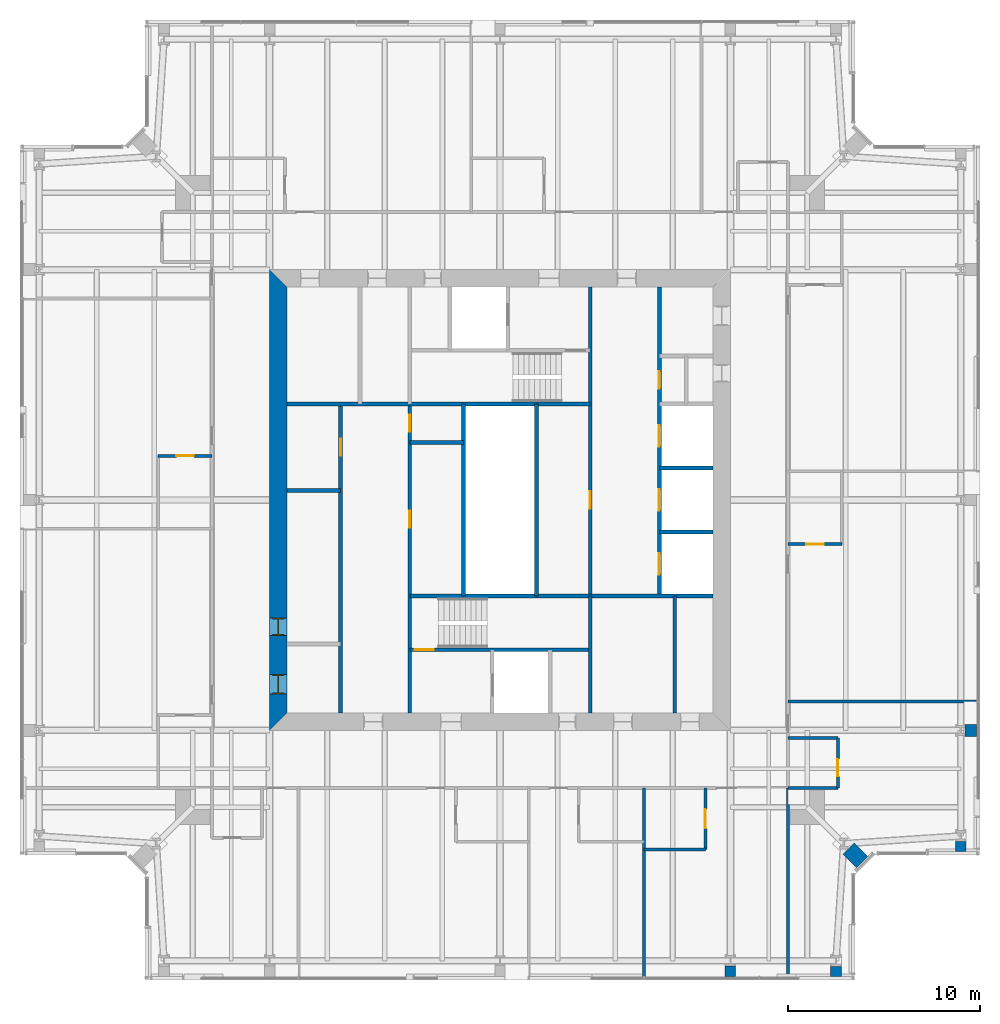
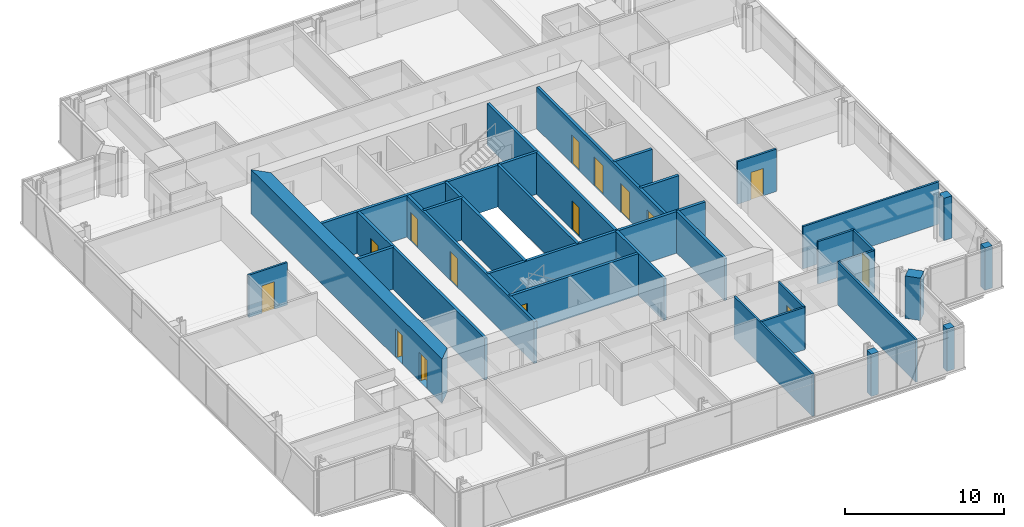
# One storey, part 12 of 20: 31 walls, 15 doors, 15 openings.
"""IFC4 building model written with IfcOpenShell, lengths in metres."""

from ifc_helpers import new_model, si_unit, direction, frame, frame_2d, origin, place, context, subcontext, project, spatial, polyline, rectangle, outline, extrude, material, layer, layer_set, type_object, element, fill, save


model = new_model("IFC4")

# Units and contexts
model_context = context("Model", 3, precision=1e-05, world=origin(), true_north=direction((0.0, 1.0)))
body_context = subcontext(model_context, "Body", "Model", "MODEL_VIEW")
ifc_project = project(units=[si_unit("LENGTHUNIT", "METRE"), si_unit("AREAUNIT", "SQUARE_METRE"), si_unit("VOLUMEUNIT", "CUBIC_METRE"), si_unit("PLANEANGLEUNIT", "RADIAN"), si_unit("MASSUNIT", "GRAM", prefix="KILO")], contexts=[model_context])

# Site, building, storey
site_placement = place(None, origin())
site = spatial("IfcSite", under=ifc_project, at=site_placement, CompositionType="ELEMENT")
building_placement = place(site_placement, origin())
building = spatial("IfcBuilding", under=site, at=building_placement, Name="Fenwick Lantern Interchange", CompositionType="ELEMENT")
storey_placement = place(building_placement, frame((0.0, 0.0, 279.800048828125)))
storey = spatial("IfcBuildingStorey", under=building, at=storey_placement, Name="L67", CompositionType="ELEMENT", Elevation=279.800048828125)

# Walls
ifc_material_1 = material(Name="Fire-rated gypsum board encasement on steel studs, 2 hour", Category="steel")
ifc_layer_1 = layer(ifc_material_1, 0.5419921875)
ifc_layer_set_1 = layer_set([ifc_layer_1], Name="COLUMN PIER 542")
wall_type_1 = type_object("IfcWallType", Name="COLUMN PIER 542", PredefinedType="PARTITIONING", material=ifc_layer_set_1)
wall_1_placement = place(storey_placement, frame((37.0, 0.18994140625, 0.0), z_axis=(0.0, 0.0, 1.0), x_axis=(0.0, 1.0, 0.0)))
element("IfcWall", 1, at=wall_1_placement, inside=storey, type_object=wall_type_1, Name="L67/W/PIER/CS4", PredefinedType="PARTITIONING", context=body_context, shape_type="SweptSolid", body=[
    extrude(rectangle(XDim=0.544677734375, YDim=0.5419921875, at=frame_2d((0.2724609375, 0.0))), origin(), (0.0, 0.0, 1.0), 3.25),
])
ifc_layer_2 = layer(ifc_material_1, 0.554931640625)
ifc_layer_set_2 = layer_set([ifc_layer_2], Name="COLUMN PIER 555")
wall_type_2 = type_object("IfcWallType", Name="COLUMN PIER 555", PredefinedType="PARTITIONING", material=ifc_layer_set_2)
for number, where, z_axis, x_axis, name in (
    (2, (42.5, 0.18994140625, 0.0), (0.0, 0.0, 1.0), (0.0, 1.0, 0.0), "L67/W/PIER/CS5"),
    (3, (49.0, 6.68994140625, 0.0), (0.0, 0.0, 1.0), (0.0, 1.0, 0.0), "L67/W/PIER/CE1"),
):
    element("IfcWall", number, at=place(storey_placement, frame(where, z_axis=z_axis, x_axis=x_axis)), inside=storey, type_object=wall_type_2, Name=name, PredefinedType="PARTITIONING", context=body_context, shape_type="SweptSolid", body=[
        extrude(rectangle(XDim=0.525634765625, YDim=0.554931640625, at=frame_2d((0.2626953125, 0.0))), origin(), (0.0, 0.0, 1.0), 3.25),
    ])
ifc_layer_3 = layer(ifc_material_1, 0.631103515625)
ifc_layer_set_3 = layer_set([ifc_layer_3], Name="COLUMN PIER 631")
wall_type_3 = type_object("IfcWallType", Name="COLUMN PIER 631", PredefinedType="PARTITIONING", material=ifc_layer_set_3)
wall_2_placement = place(storey_placement, frame((49.81005859375, 13.0, 0.0), z_axis=(0.0, 0.0, 1.0), x_axis=(-1.0, 0.0, 0.0)))
element("IfcWall", 4, at=wall_2_placement, inside=storey, type_object=wall_type_3, Name="L67/W/PIER/CE2", PredefinedType="PARTITIONING", context=body_context, shape_type="SweptSolid", body=[
    extrude(rectangle(XDim=0.589111328125, YDim=0.631103515625, at=frame_2d((0.29443359375, 0.0))), origin(), (0.0, 0.0, 1.0), 3.25),
])
ifc_layer_4 = layer(ifc_material_1, 0.823974609375)
ifc_layer_set_4 = layer_set([ifc_layer_4], Name="COLUMN PIER 824")
wall_type_4 = type_object("IfcWallType", Name="COLUMN PIER 824", PredefinedType="PARTITIONING", material=ifc_layer_set_4)
wall_3_placement = place(storey_placement, frame((43.86572265625, 6.13427734375, 0.0), z_axis=(0.0, 0.0, 1.0), x_axis=(-0.707106781187, 0.707106781187, 0.0)))
element("IfcWall", 5, at=wall_3_placement, inside=storey, type_object=wall_type_4, Name="L67/W/PIER/CSR", PredefinedType="PARTITIONING", context=body_context, shape_type="SweptSolid", body=[
    extrude(rectangle(XDim=1.003662109375, YDim=0.823974609375, at=frame_2d((0.501953125, 0.0))), origin(), (0.0, 0.0, 1.0), 3.25),
])

# Wall, opening, door
ifc_material_2 = material(Name="Concrete masonry ASTM C90 Grade N", Category="masonry")
ifc_layer_5 = layer(ifc_material_2, 0.199951171875)
ifc_layer_set_5 = layer_set([ifc_layer_5], Name="Concrete masonry ASTM C90 Grade N")
wall_type_5 = type_object("IfcWallType", Name="CORE PARTITION 200", PredefinedType="PARTITIONING", material=ifc_layer_set_5)
wall_4_placement = place(storey_placement, frame((16.699951171875, 13.89990234375, 0.0), z_axis=(0.0, 0.0, 1.0), x_axis=(0.0, 1.0, 0.0)))
wall_4 = element("IfcWall", 6, at=wall_4_placement, inside=storey, type_object=wall_type_5, Name="L67/W/CORES/a", PredefinedType="PARTITIONING", context=body_context, shape_type="SweptSolid", body=[
    extrude(rectangle(XDim=16.10009765625, YDim=0.199951171875, at=frame_2d((8.050048828125, 0.0))), origin(), (0.0, 0.0, 1.0), 3.199951171875),
])
opening_1_placement = place(wall_4_placement, frame((13.39990234375, 0.0, 0.0)))
opening_1 = element("IfcOpeningElement", 7, at=opening_1_placement, cuts=wall_4, Name="Opening L67-D009", PredefinedType="OPENING", context=body_context, shape_type="SweptSolid", body=[
    extrude(rectangle(XDim=0.89990234375, YDim=2.199951171875, at=frame_2d((0.449951171875, 1.10009765625))), frame((0.0, 0.10986328125, 0.0), z_axis=(0.0, -1.0, 0.0), x_axis=(1.0, 0.0, 0.0)), (0.0, 0.0, 1.0), 0.219970703125),
])
ifc_material_3 = material(Name="Steel door and frame", Category="steel")
door_type_1 = type_object("IfcDoorType", Name="SERVICE DOOR 900 X 2200", OperationType="SINGLE_SWING_LEFT", PredefinedType="DOOR", material=ifc_material_3)
door_1_placement = place(opening_1_placement, origin())
door_1 = element("IfcDoor", 8, at=door_1_placement, inside=storey, type_object=door_type_1, Name="Service door", OperationType="SINGLE_SWING_LEFT", OverallHeight=2.199951171875, OverallWidth=0.89990234375, PredefinedType="DOOR", context=body_context, shape_type="SweptSolid", body=[
    extrude(rectangle(XDim=0.89990234375, YDim=2.199951171875, at=frame_2d((0.449951171875, 1.10009765625))), frame((0.0, 0.02490234375, 0.0), z_axis=(0.0, -1.0, 0.0), x_axis=(1.0, 0.0, 0.0)), (0.0, 0.0, 1.0), 0.050048828125),
])
fill(opening_1, door_1)

# Walls
wall_5_placement = place(storey_placement, frame((23.10009765625, 20.0, 0.0), z_axis=(0.0, 0.0, 1.0), x_axis=(0.0, 1.0, 0.0)))
element("IfcWall", 9, at=wall_5_placement, inside=storey, type_object=wall_type_5, Name="L67/W/CORES/e3", PredefinedType="PARTITIONING", context=body_context, shape_type="SweptSolid", body=[
    extrude(rectangle(XDim=10.0, YDim=0.199951171875, at=frame_2d((5.0, 0.0))), origin(), (0.0, 0.0, 1.0), 3.199951171875),
])
wall_6_placement = place(storey_placement, frame((34.10009765625, 13.89990234375, 0.0), z_axis=(0.0, 0.0, 1.0), x_axis=(0.0, 1.0, 0.0)))
element("IfcWall", 10, at=wall_6_placement, inside=storey, type_object=wall_type_5, Name="L67/W/CORES/i2", PredefinedType="PARTITIONING", context=body_context, shape_type="SweptSolid", body=[
    extrude(rectangle(XDim=6.10009765625, YDim=0.199951171875, at=frame_2d((3.050048828125, 0.0))), origin(), (0.0, 0.0, 1.0), 3.199951171875),
])
for number, where, z_axis, x_axis, name in (
    (11, (13.89990234375, 25.5, 0.0), (0.0, 0.0, 1.0), (1.0, 0.0, 0.0), "L67/W/CORES/p2"),
    (12, (20.300048828125, 28.0, 0.0), (0.0, 0.0, 1.0), (1.0, 0.0, 0.0), "L67/W/CORES/q1"),
):
    element("IfcWall", number, at=place(storey_placement, frame(where, z_axis=z_axis, x_axis=x_axis)), inside=storey, type_object=wall_type_5, Name=name, PredefinedType="PARTITIONING", context=body_context, shape_type="SweptSolid", body=[
        extrude(rectangle(XDim=2.800048828125, YDim=0.199951171875, at=frame_2d((1.39990234375, 0.0))), origin(), (0.0, 0.0, 1.0), 3.199951171875),
    ])

# Wall, openings, doors
wall_7_placement = place(storey_placement, frame((33.300048828125, 36.10009765625, 0.0), z_axis=(0.0, 0.0, 1.0), x_axis=(0.0, -1.0, 0.0)))
wall_7 = element("IfcWall", 13, at=wall_7_placement, inside=storey, type_object=wall_type_5, Name="L67/W/COREN/a", PredefinedType="PARTITIONING", context=body_context, shape_type="SweptSolid", body=[
    extrude(rectangle(XDim=16.10009765625, YDim=0.199951171875, at=frame_2d((8.050048828125, 0.0))), origin(), (0.0, 0.0, 1.0), 3.199951171875),
])
opening_2_placement = place(wall_7_placement, frame((4.39990234375, 0.0, 0.0)))
opening_2 = element("IfcOpeningElement", 14, at=opening_2_placement, cuts=wall_7, Name="Opening L67-D019", PredefinedType="OPENING", context=body_context, shape_type="SweptSolid", body=[
    extrude(rectangle(XDim=0.89990234375, YDim=2.199951171875, at=frame_2d((0.449951171875, 1.10009765625))), frame((0.0, 0.10986328125, 0.0), z_axis=(0.0, -1.0, 0.0), x_axis=(1.0, 0.0, 0.0)), (0.0, 0.0, 1.0), 0.219970703125),
])
opening_3_placement = place(wall_7_placement, frame((7.216552734375, 0.0, 0.0)))
opening_3 = element("IfcOpeningElement", 15, at=opening_3_placement, cuts=wall_7, Name="Opening LD-E1-1", PredefinedType="OPENING", context=body_context, shape_type="SweptSolid", body=[
    extrude(rectangle(XDim=1.10009765625, YDim=2.199951171875, at=frame_2d((0.550048828125, 1.10009765625))), frame((0.0, 0.10986328125, 0.0), z_axis=(0.0, -1.0, 0.0), x_axis=(1.0, 0.0, 0.0)), (0.0, 0.0, 1.0), 0.219970703125),
])
opening_4_placement = place(wall_7_placement, frame((10.550048828125, 0.0, 0.0)))
opening_4 = element("IfcOpeningElement", 16, at=opening_4_placement, cuts=wall_7, Name="Opening LD-E1-2", PredefinedType="OPENING", context=body_context, shape_type="SweptSolid", body=[
    extrude(rectangle(XDim=1.10009765625, YDim=2.199951171875, at=frame_2d((0.550048828125, 1.10009765625))), frame((0.0, 0.10986328125, 0.0), z_axis=(0.0, -1.0, 0.0), x_axis=(1.0, 0.0, 0.0)), (0.0, 0.0, 1.0), 0.219970703125),
])
opening_5_placement = place(wall_7_placement, frame((13.88330078125, 0.0, 0.0)))
opening_5 = element("IfcOpeningElement", 17, at=opening_5_placement, cuts=wall_7, Name="Opening LD-E1-3", PredefinedType="OPENING", context=body_context, shape_type="SweptSolid", body=[
    extrude(rectangle(XDim=1.10009765625, YDim=2.199951171875, at=frame_2d((0.550048828125, 1.10009765625))), frame((0.0, 0.10986328125, 0.0), z_axis=(0.0, -1.0, 0.0), x_axis=(1.0, 0.0, 0.0)), (0.0, 0.0, 1.0), 0.219970703125),
])
door_type_2 = type_object("IfcDoorType", Name="LIFT LANDING DOOR 1100 X 2200", OperationType="DOUBLE_DOOR_SLIDING", PredefinedType="DOOR", material=ifc_material_3)
door_2_placement = place(opening_3_placement, origin())
door_2 = element("IfcDoor", 18, at=door_2_placement, inside=storey, type_object=door_type_2, Name="Lift landing door E1-1", OperationType="DOUBLE_DOOR_SLIDING", OverallHeight=2.199951171875, OverallWidth=1.10009765625, PredefinedType="DOOR", context=body_context, shape_type="SweptSolid", body=[
    extrude(rectangle(XDim=1.10009765625, YDim=2.199951171875, at=frame_2d((0.550048828125, 1.10009765625))), frame((0.0, 0.02490234375, 0.0), z_axis=(0.0, -1.0, 0.0), x_axis=(1.0, 0.0, 0.0)), (0.0, 0.0, 1.0), 0.050048828125),
])
fill(opening_3, door_2)
door_3_placement = place(opening_4_placement, origin())
door_3 = element("IfcDoor", 19, at=door_3_placement, inside=storey, type_object=door_type_2, Name="Lift landing door E1-2", OperationType="DOUBLE_DOOR_SLIDING", OverallHeight=2.199951171875, OverallWidth=1.10009765625, PredefinedType="DOOR", context=body_context, shape_type="SweptSolid", body=[
    extrude(rectangle(XDim=1.10009765625, YDim=2.199951171875, at=frame_2d((0.550048828125, 1.10009765625))), frame((0.0, 0.02490234375, 0.0), z_axis=(0.0, -1.0, 0.0), x_axis=(1.0, 0.0, 0.0)), (0.0, 0.0, 1.0), 0.050048828125),
])
fill(opening_4, door_3)
door_4_placement = place(opening_5_placement, origin())
door_4 = element("IfcDoor", 20, at=door_4_placement, inside=storey, type_object=door_type_2, Name="Lift landing door E1-3", OperationType="DOUBLE_DOOR_SLIDING", OverallHeight=2.199951171875, OverallWidth=1.10009765625, PredefinedType="DOOR", context=body_context, shape_type="SweptSolid", body=[
    extrude(rectangle(XDim=1.10009765625, YDim=2.199951171875, at=frame_2d((0.550048828125, 1.10009765625))), frame((0.0, 0.02490234375, 0.0), z_axis=(0.0, -1.0, 0.0), x_axis=(1.0, 0.0, 0.0)), (0.0, 0.0, 1.0), 0.050048828125),
])
fill(opening_5, door_4)
door_5_placement = place(opening_2_placement, origin())
door_5 = element("IfcDoor", 21, at=door_5_placement, inside=storey, type_object=door_type_1, Name="Service door", OperationType="SINGLE_SWING_LEFT", OverallHeight=2.199951171875, OverallWidth=0.89990234375, PredefinedType="DOOR", context=body_context, shape_type="SweptSolid", body=[
    extrude(rectangle(XDim=0.89990234375, YDim=2.199951171875, at=frame_2d((0.449951171875, 1.10009765625))), frame((0.0, 0.02490234375, 0.0), z_axis=(0.0, -1.0, 0.0), x_axis=(1.0, 0.0, 0.0)), (0.0, 0.0, 1.0), 0.050048828125),
])
fill(opening_2, door_5)

# Walls
for number, where, z_axis, x_axis, name in (
    (22, (36.10009765625, 26.666748046875, 0.0), (0.0, 0.0, 1.0), (-1.0, 0.0, 0.0), "L67/W/COREN/d1"),
    (23, (36.10009765625, 23.333251953125, 0.0), (0.0, 0.0, 1.0), (-1.0, 0.0, 0.0), "L67/W/COREN/d2"),
):
    element("IfcWall", number, at=place(storey_placement, frame(where, z_axis=z_axis, x_axis=x_axis)), inside=storey, type_object=wall_type_5, Name=name, PredefinedType="PARTITIONING", context=body_context, shape_type="SweptSolid", body=[
        extrude(rectangle(XDim=2.800048828125, YDim=0.199951171875, at=frame_2d((1.39990234375, 0.0))), origin(), (0.0, 0.0, 1.0), 3.199951171875),
    ])
wall_8_placement = place(storey_placement, frame((26.89990234375, 30.0, 0.0), z_axis=(0.0, 0.0, 1.0), x_axis=(0.0, -1.0, 0.0)))
element("IfcWall", 24, at=wall_8_placement, inside=storey, type_object=wall_type_5, Name="L67/W/COREN/e3", PredefinedType="PARTITIONING", context=body_context, shape_type="SweptSolid", body=[
    extrude(rectangle(XDim=10.0, YDim=0.199951171875, at=frame_2d((5.0, 0.0))), origin(), (0.0, 0.0, 1.0), 3.199951171875),
])

# Wall, openings, doors
ifc_material_4 = material(Name="Concrete f'c 70 MPa", Category="concrete")
ifc_layer_6 = layer(ifc_material_4, 0.89990234375)
ifc_layer_set_6 = layer_set([ifc_layer_6], Name="CORE WALL 900")
wall_type_6 = type_object("IfcWallType", Name="CORE WALL 900", PredefinedType="SHEAR", material=ifc_layer_set_6)
wall_9_placement = place(storey_placement, frame((13.449951171875, 36.10009765625, 0.0), z_axis=(0.0, 0.0, 1.0), x_axis=(0.0, -1.0, 0.0)))
wall_9 = element("IfcWall", 25, at=wall_9_placement, inside=storey, type_object=wall_type_6, Name="L67/CORE/W", PredefinedType="SHEAR", context=body_context, shape_type="SweptSolid", body=[
    extrude(outline(polyline([(-0.89990234375, -0.449951171875), (23.10009765625, -0.449951171875), (22.199951171875, 0.449951171875), (0.0, 0.449951171875), (-0.89990234375, -0.449951171875)])), origin(), (0.0, 0.0, 1.0), 3.39990234375),
])
opening_6_placement = place(wall_9_placement, frame((20.199951171875, 0.0, 0.0)))
opening_6 = element("IfcOpeningElement", 26, at=opening_6_placement, cuts=wall_9, Name="Opening L67-D007", PredefinedType="OPENING", context=body_context, shape_type="SweptSolid", body=[
    extrude(rectangle(XDim=1.0, YDim=2.199951171875, at=frame_2d((0.5, 1.10009765625))), frame((0.0, 0.4599609375, 0.0), z_axis=(0.0, -1.0, 0.0), x_axis=(1.0, 0.0, 0.0)), (0.0, 0.0, 1.0), 0.919921875),
])
opening_7_placement = place(wall_9_placement, frame((17.25, 0.0, 0.0)))
opening_7 = element("IfcOpeningElement", 27, at=opening_7_placement, cuts=wall_9, Name="Opening L67-D008", PredefinedType="OPENING", context=body_context, shape_type="SweptSolid", body=[
    extrude(rectangle(XDim=0.89990234375, YDim=2.199951171875, at=frame_2d((0.449951171875, 1.10009765625))), frame((0.0, 0.4599609375, 0.0), z_axis=(0.0, -1.0, 0.0), x_axis=(1.0, 0.0, 0.0)), (0.0, 0.0, 1.0), 0.919921875),
])
door_6_placement = place(opening_7_placement, origin())
door_6 = element("IfcDoor", 28, at=door_6_placement, inside=storey, type_object=door_type_1, Name="Service door", OperationType="SINGLE_SWING_RIGHT", OverallHeight=2.199951171875, OverallWidth=0.89990234375, PredefinedType="DOOR", context=body_context, shape_type="SweptSolid", body=[
    extrude(rectangle(XDim=0.89990234375, YDim=2.199951171875, at=frame_2d((0.449951171875, 1.10009765625))), frame((0.0, 0.02490234375, 0.0), z_axis=(0.0, -1.0, 0.0), x_axis=(1.0, 0.0, 0.0)), (0.0, 0.0, 1.0), 0.050048828125),
    extrude(outline(polyline([(0.0, 0.0), (0.0400390625, 0.0), (0.0400390625, 2.159912109375), (0.85986328125, 2.159912109375), (0.85986328125, 0.0), (0.89990234375, 0.0), (0.89990234375, 2.199951171875), (0.0, 2.199951171875), (0.0, 0.0)])), frame((0.0, 0.300048828125, 0.0), z_axis=(0.0, -1.0, 0.0), x_axis=(1.0, 0.0, 0.0)), (0.0, 0.0, 1.0), 0.60009765625),
])
fill(opening_7, door_6)
ifc_material_5 = material(Name="Hardwood door and steel frame", Category="steel")
door_type_3 = type_object("IfcDoorType", Name="WC DOOR 1000 X 2200", OperationType="SINGLE_SWING_LEFT", PredefinedType="DOOR", material=ifc_material_5)
door_7_placement = place(opening_6_placement, origin())
door_7 = element("IfcDoor", 29, at=door_7_placement, inside=storey, type_object=door_type_3, Name="Wc door", OperationType="SINGLE_SWING_RIGHT", OverallHeight=2.199951171875, OverallWidth=1.0, PredefinedType="DOOR", context=body_context, shape_type="SweptSolid", body=[
    extrude(rectangle(XDim=1.0, YDim=2.199951171875, at=frame_2d((0.5, 1.10009765625))), frame((0.0, 0.02490234375, 0.0), z_axis=(0.0, -1.0, 0.0), x_axis=(1.0, 0.0, 0.0)), (0.0, 0.0, 1.0), 0.050048828125),
    extrude(outline(polyline([(0.0, 0.0), (0.0400390625, 0.0), (0.0400390625, 2.159912109375), (0.9599609375, 2.159912109375), (0.9599609375, 0.0), (1.0, 0.0), (1.0, 2.199951171875), (0.0, 2.199951171875), (0.0, 0.0)])), frame((0.0, 0.300048828125, 0.0), z_axis=(0.0, -1.0, 0.0), x_axis=(1.0, 0.0, 0.0)), (0.0, 0.0, 1.0), 0.60009765625),
])
fill(opening_6, door_7)

# Wall
ifc_material_6 = material(Name="Gypsum board on steel studs, moisture resistant", Category="steel")
ifc_layer_7 = layer(ifc_material_6, 0.14990234375)
ifc_layer_set_7 = layer_set([ifc_layer_7], Name="EN-SUITE WALL 150")
wall_type_7 = type_object("IfcWallType", Name="EN-SUITE WALL 150", PredefinedType="PARTITIONING", material=ifc_layer_set_7)
wall_10_placement = place(storey_placement, frame((32.5, 6.800048828125, 0.0), z_axis=(0.0, 0.0, 1.0), x_axis=(1.0, 0.0, 0.0)))
element("IfcWall", 30, at=wall_10_placement, inside=storey, type_object=wall_type_7, Name="L67/W/HOTEL/S/U4BW", PredefinedType="PARTITIONING", context=body_context, shape_type="SweptSolid", body=[
    extrude(rectangle(XDim=3.199951171875, YDim=0.14990234375, at=frame_2d((1.60009765625, 0.0))), origin(), (0.0, 0.0, 1.0), 3.25),
])

# Wall, opening, door
wall_11_placement = place(storey_placement, frame((35.699951171875, 6.800048828125, 0.0), z_axis=(0.0, 0.0, 1.0), x_axis=(0.0, 1.0, 0.0)))
wall_11 = element("IfcWall", 31, at=wall_11_placement, inside=storey, type_object=wall_type_7, Name="L67/W/HOTEL/S/U4BX", PredefinedType="PARTITIONING", context=body_context, shape_type="SweptSolid", body=[
    extrude(rectangle(XDim=3.199951171875, YDim=0.14990234375, at=frame_2d((1.60009765625, 0.0))), origin(), (0.0, 0.0, 1.0), 3.25),
])
opening_8_placement = place(wall_11_placement, frame((1.10009765625, 0.0, 0.0)))
opening_8 = element("IfcOpeningElement", 32, at=opening_8_placement, cuts=wall_11, Name="Opening L67-D028", PredefinedType="OPENING", context=body_context, shape_type="SweptSolid", body=[
    extrude(rectangle(XDim=1.0, YDim=2.10009765625, at=frame_2d((0.5, 1.050048828125))), frame((0.0, 0.0849609375, 0.0), z_axis=(0.0, -1.0, 0.0), x_axis=(1.0, 0.0, 0.0)), (0.0, 0.0, 1.0), 0.169921875),
])
door_type_4 = type_object("IfcDoorType", Name="EN-SUITE DOOR 1000 X 2100", OperationType="SINGLE_SWING_LEFT", PredefinedType="DOOR", material=ifc_material_5)
door_8_placement = place(opening_8_placement, origin())
door_8 = element("IfcDoor", 33, at=door_8_placement, inside=storey, type_object=door_type_4, Name="En-suite door", OperationType="SINGLE_SWING_LEFT", OverallHeight=2.10009765625, OverallWidth=1.0, PredefinedType="DOOR", context=body_context, shape_type="SweptSolid", body=[
    extrude(rectangle(XDim=1.0, YDim=2.10009765625, at=frame_2d((0.5, 1.050048828125))), frame((0.0, 0.02490234375, 0.0), z_axis=(0.0, -1.0, 0.0), x_axis=(1.0, 0.0, 0.0)), (0.0, 0.0, 1.0), 0.050048828125),
])
fill(opening_8, door_8)

wall_12_placement = place(storey_placement, frame((42.60009765625, 10.0, 0.0), z_axis=(0.0, 0.0, 1.0), x_axis=(0.0, 1.0, 0.0)))
wall_12 = element("IfcWall", 34, at=wall_12_placement, inside=storey, type_object=wall_type_7, Name="L67/W/HOTEL/E/U1BW", PredefinedType="PARTITIONING", context=body_context, shape_type="SweptSolid", body=[
    extrude(rectangle(XDim=2.60009765625, YDim=0.14990234375, at=frame_2d((1.300048828125, 0.0))), origin(), (0.0, 0.0, 1.0), 3.25),
])
opening_9_placement = place(wall_12_placement, frame((0.60009765625, 0.0, 0.0)))
opening_9 = element("IfcOpeningElement", 35, at=opening_9_placement, cuts=wall_12, Name="Opening L67-D031", PredefinedType="OPENING", context=body_context, shape_type="SweptSolid", body=[
    extrude(rectangle(XDim=0.89990234375, YDim=2.10009765625, at=frame_2d((0.449951171875, 1.050048828125))), frame((0.0, 0.0849609375, 0.0), z_axis=(0.0, -1.0, 0.0), x_axis=(1.0, 0.0, 0.0)), (0.0, 0.0, 1.0), 0.169921875),
])
door_type_5 = type_object("IfcDoorType", Name="EN-SUITE DOOR 900 X 2100", OperationType="SINGLE_SWING_LEFT", PredefinedType="DOOR", material=ifc_material_5)
door_9_placement = place(opening_9_placement, origin())
door_9 = element("IfcDoor", 36, at=door_9_placement, inside=storey, type_object=door_type_5, Name="En-suite door", OperationType="SINGLE_SWING_LEFT", OverallHeight=2.10009765625, OverallWidth=0.89990234375, PredefinedType="DOOR", context=body_context, shape_type="SweptSolid", body=[
    extrude(rectangle(XDim=0.89990234375, YDim=2.10009765625, at=frame_2d((0.449951171875, 1.050048828125))), frame((0.0, 0.02490234375, 0.0), z_axis=(0.0, -1.0, 0.0), x_axis=(1.0, 0.0, 0.0)), (0.0, 0.0, 1.0), 0.050048828125),
])
fill(opening_9, door_9)

# Walls
for number, where, z_axis, x_axis, name in (
    (37, (42.60009765625, 10.0, 0.0), (0.0, 0.0, 1.0), (-1.0, 0.0, 0.0), "L67/W/HOTEL/E/U1BX"),
    (38, (42.60009765625, 12.60009765625, 0.0), (0.0, 0.0, 1.0), (-1.0, 0.0, 0.0), "L67/W/HOTEL/E/U1BE"),
):
    element("IfcWall", number, at=place(storey_placement, frame(where, z_axis=z_axis, x_axis=x_axis)), inside=storey, type_object=wall_type_7, Name=name, PredefinedType="PARTITIONING", context=body_context, shape_type="SweptSolid", body=[
        extrude(rectangle(XDim=2.60009765625, YDim=0.14990234375, at=frame_2d((1.300048828125, 0.0))), origin(), (0.0, 0.0, 1.0), 3.25),
    ])

# Wall, opening, door
wall_13_placement = place(storey_placement, frame((42.800048828125, 22.699951171875, 0.0), z_axis=(0.0, 0.0, 1.0), x_axis=(-1.0, 0.0, 0.0)))
wall_13 = element("IfcWall", 39, at=wall_13_placement, inside=storey, type_object=wall_type_7, Name="L67/W/HOTEL/E/U2BX", PredefinedType="PARTITIONING", context=body_context, shape_type="SweptSolid", body=[
    extrude(rectangle(XDim=2.800048828125, YDim=0.14990234375, at=frame_2d((1.39990234375, 0.0))), origin(), (0.0, 0.0, 1.0), 3.25),
])
opening_10_placement = place(wall_13_placement, frame((0.949951171875, 0.0, 0.0)))
opening_10 = element("IfcOpeningElement", 40, at=opening_10_placement, cuts=wall_13, Name="Opening L67-D032", PredefinedType="OPENING", context=body_context, shape_type="SweptSolid", body=[
    extrude(rectangle(XDim=0.89990234375, YDim=2.10009765625, at=frame_2d((0.449951171875, 1.050048828125))), frame((0.0, 0.0849609375, 0.0), z_axis=(0.0, -1.0, 0.0), x_axis=(1.0, 0.0, 0.0)), (0.0, 0.0, 1.0), 0.169921875),
])
door_10_placement = place(opening_10_placement, frame((0.89990234375, 0.0, 0.0), z_axis=(0.0, 0.0, 1.0), x_axis=(-1.0, 0.0, 0.0)))
door_10 = element("IfcDoor", 41, at=door_10_placement, inside=storey, type_object=door_type_5, Name="En-suite door", OperationType="SINGLE_SWING_RIGHT", OverallHeight=2.10009765625, OverallWidth=0.89990234375, PredefinedType="DOOR", context=body_context, shape_type="SweptSolid", body=[
    extrude(rectangle(XDim=0.89990234375, YDim=2.10009765625, at=frame_2d((0.449951171875, 1.050048828125))), frame((0.0, 0.02490234375, 0.0), z_axis=(0.0, -1.0, 0.0), x_axis=(1.0, 0.0, 0.0)), (0.0, 0.0, 1.0), 0.050048828125),
])
fill(opening_10, door_10)

wall_14_placement = place(storey_placement, frame((7.199951171875, 27.300048828125, 0.0), z_axis=(0.0, 0.0, 1.0), x_axis=(1.0, 0.0, 0.0)))
wall_14 = element("IfcWall", 42, at=wall_14_placement, inside=storey, type_object=wall_type_7, Name="L67/W/HOTEL/W/U2BX", PredefinedType="PARTITIONING", context=body_context, shape_type="SweptSolid", body=[
    extrude(rectangle(XDim=2.800048828125, YDim=0.14990234375, at=frame_2d((1.39990234375, 0.0))), origin(), (0.0, 0.0, 1.0), 3.25),
])
opening_11_placement = place(wall_14_placement, frame((0.949951171875, 0.0, 0.0)))
opening_11 = element("IfcOpeningElement", 43, at=opening_11_placement, cuts=wall_14, Name="Opening L67-D044", PredefinedType="OPENING", context=body_context, shape_type="SweptSolid", body=[
    extrude(rectangle(XDim=0.89990234375, YDim=2.10009765625, at=frame_2d((0.449951171875, 1.050048828125))), frame((0.0, 0.0849609375, 0.0), z_axis=(0.0, -1.0, 0.0), x_axis=(1.0, 0.0, 0.0)), (0.0, 0.0, 1.0), 0.169921875),
])
door_11_placement = place(opening_11_placement, frame((0.89990234375, 0.0, 0.0), z_axis=(0.0, 0.0, 1.0), x_axis=(-1.0, 0.0, 0.0)))
door_11 = element("IfcDoor", 44, at=door_11_placement, inside=storey, type_object=door_type_5, Name="En-suite door", OperationType="SINGLE_SWING_RIGHT", OverallHeight=2.10009765625, OverallWidth=0.89990234375, PredefinedType="DOOR", context=body_context, shape_type="SweptSolid", body=[
    extrude(rectangle(XDim=0.89990234375, YDim=2.10009765625, at=frame_2d((0.449951171875, 1.050048828125))), frame((0.0, 0.02490234375, 0.0), z_axis=(0.0, -1.0, 0.0), x_axis=(1.0, 0.0, 0.0)), (0.0, 0.0, 1.0), 0.050048828125),
])
fill(opening_11, door_11)

# Walls
ifc_material_7 = material(Name="Gypsum board on steel studs, 1 hour acoustic", Category="steel")
ifc_layer_8 = layer(ifc_material_7, 0.14990234375)
ifc_layer_set_8 = layer_set([ifc_layer_8], Name="PARTY WALL 150")
wall_type_8 = type_object("IfcWallType", Name="PARTY WALL 150", PredefinedType="PARTITIONING", material=ifc_layer_set_8)
for number, where, z_axis, x_axis, name in (
    (45, (32.5, 0.14990234375, 0.0), (0.0, 0.0, 1.0), (0.0, 1.0, 0.0), "L67/W/HOTEL/S/U4PW"),
    (46, (40.0, 0.14990234375, 0.0), (0.0, 0.0, 1.0), (0.0, 1.0, 0.0), "L67/W/HOTEL/E/SW3"),
    (47, (49.85009765625, 14.5, 0.0), (0.0, 0.0, 1.0), (-1.0, 0.0, 0.0), "L67/W/HOTEL/E/U2PW"),
):
    element("IfcWall", number, at=place(storey_placement, frame(where, z_axis=z_axis, x_axis=x_axis)), inside=storey, type_object=wall_type_8, Name=name, PredefinedType="PARTITIONING", context=body_context, shape_type="SweptSolid", body=[
        extrude(rectangle(XDim=9.85009765625, YDim=0.14990234375, at=frame_2d((4.925048828125, 0.0))), origin(), (0.0, 0.0, 1.0), 3.25),
    ])

# Wall, openings, doors
ifc_material_8 = material(Name="Concrete f'c 45 MPa", Category="concrete")
ifc_layer_9 = layer(ifc_material_8, 0.199951171875)
ifc_layer_set_9 = layer_set([ifc_layer_9], Name="STAIR CORE WALL 200")
wall_type_9 = type_object("IfcWallType", Name="STAIR CORE WALL 200", PredefinedType="SOLIDWALL", material=ifc_layer_set_9)
wall_15_placement = place(storey_placement, frame((20.300048828125, 13.89990234375, 0.0), z_axis=(0.0, 0.0, 1.0), x_axis=(0.0, 1.0, 0.0)))
wall_15 = element("IfcWall", 48, at=wall_15_placement, inside=storey, type_object=wall_type_9, Name="L67/W/CORES/b", PredefinedType="SOLIDWALL", context=body_context, shape_type="SweptSolid", body=[
    extrude(rectangle(XDim=16.10009765625, YDim=0.199951171875, at=frame_2d((8.050048828125, 0.0))), origin(), (0.0, 0.0, 1.0), 3.199951171875),
])
opening_12_placement = place(wall_15_placement, frame((9.64990234375, 0.0, 0.0)))
opening_12 = element("IfcOpeningElement", 49, at=opening_12_placement, cuts=wall_15, Name="Opening L67-D010", PredefinedType="OPENING", context=body_context, shape_type="SweptSolid", body=[
    extrude(rectangle(XDim=0.89990234375, YDim=2.199951171875, at=frame_2d((0.449951171875, 1.10009765625))), frame((0.0, 0.10986328125, 0.0), z_axis=(0.0, -1.0, 0.0), x_axis=(1.0, 0.0, 0.0)), (0.0, 0.0, 1.0), 0.219970703125),
])
opening_13_placement = place(wall_15_placement, frame((14.64990234375, 0.0, 0.0)))
opening_13 = element("IfcOpeningElement", 50, at=opening_13_placement, cuts=wall_15, Name="Opening L67-D011", PredefinedType="OPENING", context=body_context, shape_type="SweptSolid", body=[
    extrude(rectangle(XDim=0.89990234375, YDim=2.199951171875, at=frame_2d((0.449951171875, 1.10009765625))), frame((0.0, 0.10986328125, 0.0), z_axis=(0.0, -1.0, 0.0), x_axis=(1.0, 0.0, 0.0)), (0.0, 0.0, 1.0), 0.219970703125),
])
door_12_placement = place(opening_12_placement, frame((0.89990234375, 0.0, 0.0), z_axis=(0.0, 0.0, 1.0), x_axis=(-1.0, 0.0, 0.0)))
door_12 = element("IfcDoor", 51, at=door_12_placement, inside=storey, type_object=door_type_1, Name="Service door", OperationType="SINGLE_SWING_RIGHT", OverallHeight=2.199951171875, OverallWidth=0.89990234375, PredefinedType="DOOR", context=body_context, shape_type="SweptSolid", body=[
    extrude(rectangle(XDim=0.89990234375, YDim=2.199951171875, at=frame_2d((0.449951171875, 1.10009765625))), frame((0.0, 0.02490234375, 0.0), z_axis=(0.0, -1.0, 0.0), x_axis=(1.0, 0.0, 0.0)), (0.0, 0.0, 1.0), 0.050048828125),
])
fill(opening_12, door_12)
door_13_placement = place(opening_13_placement, frame((0.89990234375, 0.0, 0.0), z_axis=(0.0, 0.0, 1.0), x_axis=(-1.0, 0.0, 0.0)))
door_13 = element("IfcDoor", 52, at=door_13_placement, inside=storey, type_object=door_type_1, Name="Service door", OperationType="SINGLE_SWING_RIGHT", OverallHeight=2.199951171875, OverallWidth=0.89990234375, PredefinedType="DOOR", context=body_context, shape_type="SweptSolid", body=[
    extrude(rectangle(XDim=0.89990234375, YDim=2.199951171875, at=frame_2d((0.449951171875, 1.10009765625))), frame((0.0, 0.02490234375, 0.0), z_axis=(0.0, -1.0, 0.0), x_axis=(1.0, 0.0, 0.0)), (0.0, 0.0, 1.0), 0.050048828125),
])
fill(opening_13, door_13)

# Wall, opening, door
wall_16_placement = place(storey_placement, frame((20.300048828125, 17.199951171875, 0.0), z_axis=(0.0, 0.0, 1.0), x_axis=(1.0, 0.0, 0.0)))
wall_16 = element("IfcWall", 53, at=wall_16_placement, inside=storey, type_object=wall_type_9, Name="L67/W/CORES/g1", PredefinedType="SOLIDWALL", context=body_context, shape_type="SweptSolid", body=[
    extrude(rectangle(XDim=9.39990234375, YDim=0.199951171875, at=frame_2d((4.699951171875, 0.0))), origin(), (0.0, 0.0, 1.0), 3.199951171875),
])
opening_14_placement = place(wall_16_placement, frame((0.25, 0.0, 0.0)))
opening_14 = element("IfcOpeningElement", 54, at=opening_14_placement, cuts=wall_16, Name="Opening L67-D003", PredefinedType="OPENING", context=body_context, shape_type="SweptSolid", body=[
    extrude(rectangle(XDim=1.0, YDim=2.199951171875, at=frame_2d((0.5, 1.10009765625))), frame((0.0, 0.10986328125, 0.0), z_axis=(0.0, -1.0, 0.0), x_axis=(1.0, 0.0, 0.0)), (0.0, 0.0, 1.0), 0.219970703125),
])
door_type_6 = type_object("IfcDoorType", Name="STAIR DOOR 1000 X 2200", OperationType="SINGLE_SWING_LEFT", PredefinedType="DOOR", material=ifc_material_3)
door_14_placement = place(opening_14_placement, origin())
door_14 = element("IfcDoor", 55, at=door_14_placement, inside=storey, type_object=door_type_6, Name="Stair door", OperationType="SINGLE_SWING_LEFT", OverallHeight=2.199951171875, OverallWidth=1.0, PredefinedType="DOOR", context=body_context, shape_type="SweptSolid", body=[
    extrude(rectangle(XDim=1.0, YDim=2.199951171875, at=frame_2d((0.5, 1.10009765625))), frame((0.0, 0.02490234375, 0.0), z_axis=(0.0, -1.0, 0.0), x_axis=(1.0, 0.0, 0.0)), (0.0, 0.0, 1.0), 0.050048828125),
])
fill(opening_14, door_14)

# Walls
wall_17_placement = place(storey_placement, frame((20.300048828125, 20.0, 0.0), z_axis=(0.0, 0.0, 1.0), x_axis=(1.0, 0.0, 0.0)))
element("IfcWall", 56, at=wall_17_placement, inside=storey, type_object=wall_type_9, Name="L67/W/CORES/g2", PredefinedType="SOLIDWALL", context=body_context, shape_type="SweptSolid", body=[
    extrude(rectangle(XDim=15.800048828125, YDim=0.199951171875, at=frame_2d((7.89990234375, 0.0))), origin(), (0.0, 0.0, 1.0), 3.199951171875),
])
wall_18_placement = place(storey_placement, frame((29.699951171875, 13.89990234375, 0.0), z_axis=(0.0, 0.0, 1.0), x_axis=(0.0, 1.0, 0.0)))
element("IfcWall", 57, at=wall_18_placement, inside=storey, type_object=wall_type_9, Name="L67/W/CORES/i1", PredefinedType="SOLIDWALL", context=body_context, shape_type="SweptSolid", body=[
    extrude(rectangle(XDim=6.10009765625, YDim=0.199951171875, at=frame_2d((3.050048828125, 0.0))), origin(), (0.0, 0.0, 1.0), 3.199951171875),
])

# Wall, opening, door
wall_19_placement = place(storey_placement, frame((29.699951171875, 36.10009765625, 0.0), z_axis=(0.0, 0.0, 1.0), x_axis=(0.0, -1.0, 0.0)))
wall_19 = element("IfcWall", 58, at=wall_19_placement, inside=storey, type_object=wall_type_9, Name="L67/W/COREN/b", PredefinedType="SOLIDWALL", context=body_context, shape_type="SweptSolid", body=[
    extrude(rectangle(XDim=16.10009765625, YDim=0.199951171875, at=frame_2d((8.050048828125, 0.0))), origin(), (0.0, 0.0, 1.0), 3.199951171875),
])
opening_15_placement = place(wall_19_placement, frame((10.64990234375, 0.0, 0.0)))
opening_15 = element("IfcOpeningElement", 59, at=opening_15_placement, cuts=wall_19, Name="Opening L67-D021", PredefinedType="OPENING", context=body_context, shape_type="SweptSolid", body=[
    extrude(rectangle(XDim=0.89990234375, YDim=2.199951171875, at=frame_2d((0.449951171875, 1.10009765625))), frame((0.0, 0.10986328125, 0.0), z_axis=(0.0, -1.0, 0.0), x_axis=(1.0, 0.0, 0.0)), (0.0, 0.0, 1.0), 0.219970703125),
])
door_15_placement = place(opening_15_placement, frame((0.89990234375, 0.0, 0.0), z_axis=(0.0, 0.0, 1.0), x_axis=(-1.0, 0.0, 0.0)))
door_15 = element("IfcDoor", 60, at=door_15_placement, inside=storey, type_object=door_type_1, Name="Service door", OperationType="SINGLE_SWING_RIGHT", OverallHeight=2.199951171875, OverallWidth=0.89990234375, PredefinedType="DOOR", context=body_context, shape_type="SweptSolid", body=[
    extrude(rectangle(XDim=0.89990234375, YDim=2.199951171875, at=frame_2d((0.449951171875, 1.10009765625))), frame((0.0, 0.02490234375, 0.0), z_axis=(0.0, -1.0, 0.0), x_axis=(1.0, 0.0, 0.0)), (0.0, 0.0, 1.0), 0.050048828125),
])
fill(opening_15, door_15)

# Wall
wall_20_placement = place(storey_placement, frame((29.699951171875, 30.0, 0.0), z_axis=(0.0, 0.0, 1.0), x_axis=(-1.0, 0.0, 0.0)))
element("IfcWall", 61, at=wall_20_placement, inside=storey, type_object=wall_type_9, Name="L67/W/COREN/g2", PredefinedType="SOLIDWALL", context=body_context, shape_type="SweptSolid", body=[
    extrude(rectangle(XDim=15.800048828125, YDim=0.199951171875, at=frame_2d((7.89990234375, 0.0))), origin(), (0.0, 0.0, 1.0), 3.199951171875),
])

save(model, "model.ifc")
